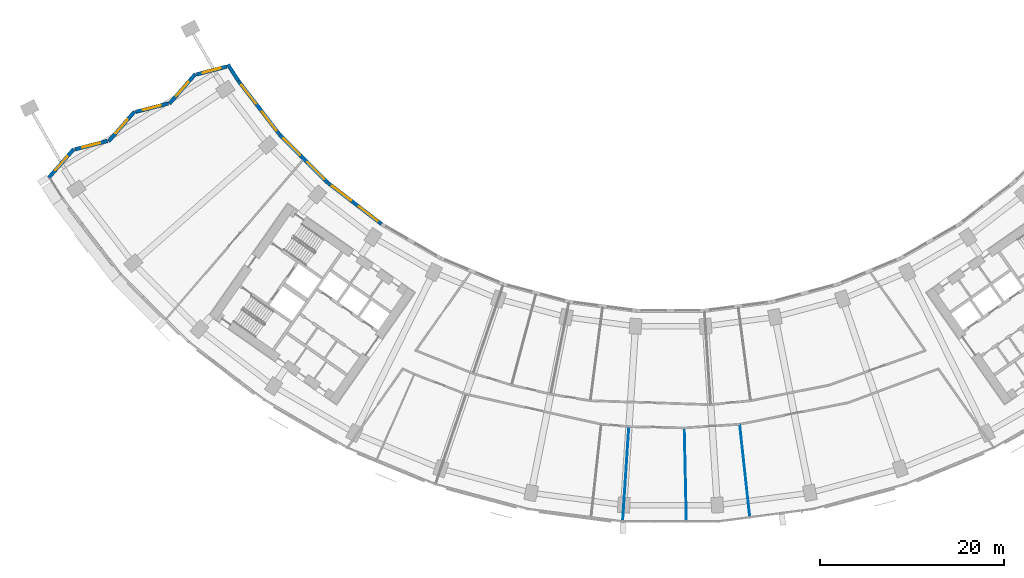
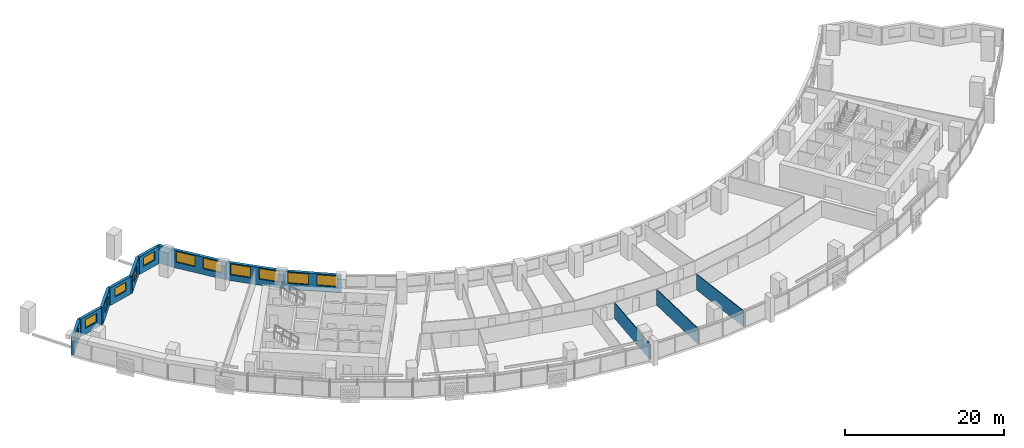
# One storey, part 5 of 30: 13 walls, 12 windows, 12 openings.
"""IFC4 building model written with IfcOpenShell, lengths in metres."""

from ifc_helpers import new_model, si_unit, direction, frame, frame_2d, origin, place, context, subcontext, project, spatial, rectangle, extrude, material, layer, layer_set, type_object, element, fill, save


model = new_model("IFC4")

# Units and contexts
model_context = context("Model", 3, precision=1e-05, world=origin(), true_north=direction((0.0, 1.0)))
body_context = subcontext(model_context, "Body", "Model", "MODEL_VIEW")
ifc_project = project(units=[si_unit("LENGTHUNIT", "METRE"), si_unit("AREAUNIT", "SQUARE_METRE"), si_unit("VOLUMEUNIT", "CUBIC_METRE"), si_unit("PLANEANGLEUNIT", "RADIAN"), si_unit("MASSUNIT", "GRAM", prefix="KILO")], contexts=[model_context])

# Site, building, storey
site_placement = place(None, origin())
site = spatial("IfcSite", under=ifc_project, at=site_placement, CompositionType="ELEMENT")
building_placement = place(site_placement, origin())
building = spatial("IfcBuilding", under=site, at=building_placement, Name="Qamariyya Broadcast Tower", CompositionType="ELEMENT")
storey_placement = place(building_placement, frame((0.0, 0.0, 67.10009765625)))
storey = spatial("IfcBuildingStorey", under=building, at=storey_placement, Name="L13", CompositionType="ELEMENT", Elevation=67.10009765625)

# Walls
ifc_material_1 = material(Name="Gypsum board partition")
ifc_layer_1 = layer(ifc_material_1, 0.10009765625)
ifc_layer_set_1 = layer_set([ifc_layer_1], Name="Partition 100")
wall_type_1 = type_object("IfcWallType", Name="Partition 100", PredefinedType="PARTITIONING", material=ifc_layer_set_1)
wall_1_placement = place(storey_placement, frame((-5.1962890625, -79.27978515625, 0.0), z_axis=(0.0, 0.0, 1.0), x_axis=(0.065408959123, 0.99785854111, 0.0)))
element("IfcWall", 1, at=wall_1_placement, inside=storey, type_object=wall_type_1, Name="Partition L13-020", PredefinedType="PARTITIONING", context=body_context, shape_type="SweptSolid", body=[
    extrude(rectangle(XDim=10.1748046875, YDim=0.10009765625, at=frame_2d((5.08740234375, 0.0))), origin(), (0.0, 0.0, 1.0), 2.39990234375),
])
for number, where, z_axis, x_axis, name in (
    (2, (1.732177734375, -79.279541015625, 0.0), (0.0, 0.0, 1.0), (-0.021848313685, 0.999761297105, 0.0), "Partition L13-023"),
    (3, (8.630859375, -78.827392578125, 0.0), (0.0, 0.0, 1.0), (-0.108851448718, 0.994058027538, 0.0), "Partition L13-028"),
):
    element("IfcWall", number, at=place(storey_placement, frame(where, z_axis=z_axis, x_axis=x_axis)), inside=storey, type_object=wall_type_1, Name=name, PredefinedType="PARTITIONING", context=body_context, shape_type="SweptSolid", body=[
        extrude(rectangle(XDim=10.0234375, YDim=0.10009765625, at=frame_2d((5.01171875, 0.0))), origin(), (0.0, 0.0, 1.0), 2.39990234375),
    ])

# Wall, opening, window
ifc_material_2 = material(Name="Terracotta", Category="masonry")
ifc_layer_2 = layer(ifc_material_2, 0.39990234375)
ifc_layer_set_2 = layer_set([ifc_layer_2], Name="Terracotta clad wall 400")
wall_type_2 = type_object("IfcWallType", Name="Terracotta clad wall 400", PredefinedType="SOLIDWALL", material=ifc_layer_set_2)
wall_2_placement = place(storey_placement, frame((-48.292724609375, -29.873291015625, 0.0), z_axis=(0.0, 0.0, 1.0), x_axis=(-0.968400164119, -0.249401527931, 0.0)))
wall_2 = element("IfcWall", 4, at=wall_2_placement, inside=storey, type_object=wall_type_2, Name="e-wl-L13-capW0", PredefinedType="SOLIDWALL", context=body_context, shape_type="SweptSolid", body=[
    extrude(rectangle(XDim=3.393798828125, YDim=0.39990234375, at=frame_2d((1.69677734375, 0.0))), origin(), (0.0, 0.0, 1.0), 2.699951171875),
])
opening_1_placement = place(wall_2_placement, frame((0.697021484375, 0.0, 0.89990234375)))
opening_1 = element("IfcOpeningElement", 5, at=opening_1_placement, cuts=wall_2, Name="Opening W4", PredefinedType="OPENING", context=body_context, shape_type="SweptSolid", body=[
    extrude(rectangle(XDim=2.0, YDim=1.35009765625, at=frame_2d((1.0, 0.675048828125))), frame((0.0, 0.2099609375, 0.0), z_axis=(0.0, -1.0, 0.0), x_axis=(1.0, 0.0, 0.0)), (0.0, 0.0, 1.0), 0.419921875),
])
ifc_material_3 = material(Name="Clear low-e double glazed unit in aluminium frame", Category="aluminium")
window_type_1 = type_object("IfcWindowType", Name="Horn bay window 2000 x 1350", PartitioningType="SINGLE_PANEL", PredefinedType="WINDOW", material=ifc_material_3)
window_1_placement = place(opening_1_placement, origin())
window_1 = element("IfcWindow", 6, at=window_1_placement, inside=storey, type_object=window_type_1, Name="e-w-L13-capW0", OverallHeight=1.35009765625, OverallWidth=2.0, PartitioningType="SINGLE_PANEL", PredefinedType="WINDOW", context=body_context, shape_type="SweptSolid", body=[
    extrude(rectangle(XDim=2.0, YDim=1.35009765625, at=frame_2d((1.0, 0.675048828125))), frame((0.0, 0.030029296875, 0.0), z_axis=(0.0, -1.0, 0.0), x_axis=(1.0, 0.0, 0.0)), (0.0, 0.0, 1.0), 0.06005859375),
])
fill(opening_1, window_1)

wall_3_placement = place(storey_placement, frame((-51.703857421875, -30.687744140625, 0.0), z_axis=(0.0, 0.0, 1.0), x_axis=(-0.658878694496, -0.752249204678, 0.0)))
wall_3 = element("IfcWall", 7, at=wall_3_placement, inside=storey, type_object=wall_type_2, Name="e-wl-L13-capW1", PredefinedType="SOLIDWALL", context=body_context, shape_type="SweptSolid", body=[
    extrude(rectangle(XDim=4.296142578125, YDim=0.39990234375, at=frame_2d((2.14794921875, 0.0))), origin(), (0.0, 0.0, 1.0), 2.699951171875),
])
opening_2_placement = place(wall_3_placement, frame((1.14794921875, 0.0, 0.89990234375)))
opening_2 = element("IfcOpeningElement", 8, at=opening_2_placement, cuts=wall_3, Name="Opening W4", PredefinedType="OPENING", context=body_context, shape_type="SweptSolid", body=[
    extrude(rectangle(XDim=2.0, YDim=1.35009765625, at=frame_2d((1.0, 0.675048828125))), frame((0.0, 0.2099609375, 0.0), z_axis=(0.0, -1.0, 0.0), x_axis=(1.0, 0.0, 0.0)), (0.0, 0.0, 1.0), 0.419921875),
])
window_2_placement = place(opening_2_placement, origin())
window_2 = element("IfcWindow", 9, at=window_2_placement, inside=storey, type_object=window_type_1, Name="e-w-L13-capW1", OverallHeight=1.35009765625, OverallWidth=2.0, PartitioningType="SINGLE_PANEL", PredefinedType="WINDOW", context=body_context, shape_type="SweptSolid", body=[
    extrude(rectangle(XDim=2.0, YDim=1.35009765625, at=frame_2d((1.0, 0.675048828125))), frame((0.0, 0.030029296875, 0.0), z_axis=(0.0, -1.0, 0.0), x_axis=(1.0, 0.0, 0.0)), (0.0, 0.0, 1.0), 0.06005859375),
])
fill(opening_2, window_2)

wall_4_placement = place(storey_placement, frame((-54.65869140625, -33.887451171875, 0.0), z_axis=(0.0, 0.0, 1.0), x_axis=(-0.968369199595, -0.249521729064, 0.0)))
wall_4 = element("IfcWall", 10, at=wall_4_placement, inside=storey, type_object=wall_type_2, Name="e-wl-L13-capW2", PredefinedType="SOLIDWALL", context=body_context, shape_type="SweptSolid", body=[
    extrude(rectangle(XDim=3.647705078125, YDim=0.39990234375, at=frame_2d((1.82373046875, 0.0))), origin(), (0.0, 0.0, 1.0), 2.699951171875),
])
opening_3_placement = place(wall_4_placement, frame((0.82373046875, 0.0, 0.89990234375)))
opening_3 = element("IfcOpeningElement", 11, at=opening_3_placement, cuts=wall_4, Name="Opening W4", PredefinedType="OPENING", context=body_context, shape_type="SweptSolid", body=[
    extrude(rectangle(XDim=2.0, YDim=1.35009765625, at=frame_2d((1.0, 0.675048828125))), frame((0.0, 0.2099609375, 0.0), z_axis=(0.0, -1.0, 0.0), x_axis=(1.0, 0.0, 0.0)), (0.0, 0.0, 1.0), 0.419921875),
])
window_3_placement = place(opening_3_placement, origin())
window_3 = element("IfcWindow", 12, at=window_3_placement, inside=storey, type_object=window_type_1, Name="e-w-L13-capW2", OverallHeight=1.35009765625, OverallWidth=2.0, PartitioningType="SINGLE_PANEL", PredefinedType="WINDOW", context=body_context, shape_type="SweptSolid", body=[
    extrude(rectangle(XDim=2.0, YDim=1.35009765625, at=frame_2d((1.0, 0.675048828125))), frame((0.0, 0.030029296875, 0.0), z_axis=(0.0, -1.0, 0.0), x_axis=(1.0, 0.0, 0.0)), (0.0, 0.0, 1.0), 0.06005859375),
])
fill(opening_3, window_3)

wall_5_placement = place(storey_placement, frame((-58.3154296875, -34.765625, 0.0), z_axis=(0.0, 0.0, 1.0), x_axis=(-0.658802375344, -0.75231604412, 0.0)))
wall_5 = element("IfcWall", 13, at=wall_5_placement, inside=storey, type_object=wall_type_2, Name="e-wl-L13-capW3", PredefinedType="SOLIDWALL", context=body_context, shape_type="SweptSolid", body=[
    extrude(rectangle(XDim=4.294677734375, YDim=0.39990234375, at=frame_2d((2.1474609375, 0.0))), origin(), (0.0, 0.0, 1.0), 2.699951171875),
])
opening_4_placement = place(wall_5_placement, frame((1.147216796875, 0.0, 0.89990234375)))
opening_4 = element("IfcOpeningElement", 14, at=opening_4_placement, cuts=wall_5, Name="Opening W4", PredefinedType="OPENING", context=body_context, shape_type="SweptSolid", body=[
    extrude(rectangle(XDim=2.0, YDim=1.35009765625, at=frame_2d((1.0, 0.675048828125))), frame((0.0, 0.2099609375, 0.0), z_axis=(0.0, -1.0, 0.0), x_axis=(1.0, 0.0, 0.0)), (0.0, 0.0, 1.0), 0.419921875),
])
window_4_placement = place(opening_4_placement, origin())
window_4 = element("IfcWindow", 15, at=window_4_placement, inside=storey, type_object=window_type_1, Name="e-w-L13-capW3", OverallHeight=1.35009765625, OverallWidth=2.0, PartitioningType="SINGLE_PANEL", PredefinedType="WINDOW", context=body_context, shape_type="SweptSolid", body=[
    extrude(rectangle(XDim=2.0, YDim=1.35009765625, at=frame_2d((1.0, 0.675048828125))), frame((0.0, 0.030029296875, 0.0), z_axis=(0.0, -1.0, 0.0), x_axis=(1.0, 0.0, 0.0)), (0.0, 0.0, 1.0), 0.06005859375),
])
fill(opening_4, window_4)

wall_6_placement = place(storey_placement, frame((-61.26904296875, -37.964599609375, 0.0), z_axis=(0.0, 0.0, 1.0), x_axis=(-0.968357693566, -0.249566378567, 0.0)))
wall_6 = element("IfcWall", 16, at=wall_6_placement, inside=storey, type_object=wall_type_2, Name="e-wl-L13-capW4", PredefinedType="SOLIDWALL", context=body_context, shape_type="SweptSolid", body=[
    extrude(rectangle(XDim=3.64892578125, YDim=0.39990234375, at=frame_2d((1.824462890625, 0.0))), origin(), (0.0, 0.0, 1.0), 2.699951171875),
])
opening_5_placement = place(wall_6_placement, frame((0.824462890625, 0.0, 0.89990234375)))
opening_5 = element("IfcOpeningElement", 17, at=opening_5_placement, cuts=wall_6, Name="Opening W4", PredefinedType="OPENING", context=body_context, shape_type="SweptSolid", body=[
    extrude(rectangle(XDim=2.0, YDim=1.35009765625, at=frame_2d((1.0, 0.675048828125))), frame((0.0, 0.2099609375, 0.0), z_axis=(0.0, -1.0, 0.0), x_axis=(1.0, 0.0, 0.0)), (0.0, 0.0, 1.0), 0.419921875),
])
window_5_placement = place(opening_5_placement, origin())
window_5 = element("IfcWindow", 18, at=window_5_placement, inside=storey, type_object=window_type_1, Name="e-w-L13-capW4", OverallHeight=1.35009765625, OverallWidth=2.0, PartitioningType="SINGLE_PANEL", PredefinedType="WINDOW", context=body_context, shape_type="SweptSolid", body=[
    extrude(rectangle(XDim=2.0, YDim=1.35009765625, at=frame_2d((1.0, 0.675048828125))), frame((0.0, 0.030029296875, 0.0), z_axis=(0.0, -1.0, 0.0), x_axis=(1.0, 0.0, 0.0)), (0.0, 0.0, 1.0), 0.06005859375),
])
fill(opening_5, window_5)

wall_7_placement = place(storey_placement, frame((-64.9267578125, -38.84326171875, 0.0), z_axis=(0.0, 0.0, 1.0), x_axis=(-0.658735199734, -0.752374864433, 0.0)))
wall_7 = element("IfcWall", 19, at=wall_7_placement, inside=storey, type_object=wall_type_2, Name="e-wl-L13-capW5", PredefinedType="SOLIDWALL", context=body_context, shape_type="SweptSolid", body=[
    extrude(rectangle(XDim=4.1220703125, YDim=0.39990234375, at=frame_2d((2.06103515625, 0.0))), origin(), (0.0, 0.0, 1.0), 2.699951171875),
])
opening_6_placement = place(wall_7_placement, frame((1.060791015625, 0.0, 0.89990234375)))
opening_6 = element("IfcOpeningElement", 20, at=opening_6_placement, cuts=wall_7, Name="Opening W4", PredefinedType="OPENING", context=body_context, shape_type="SweptSolid", body=[
    extrude(rectangle(XDim=2.0, YDim=1.35009765625, at=frame_2d((1.0, 0.675048828125))), frame((0.0, 0.2099609375, 0.0), z_axis=(0.0, -1.0, 0.0), x_axis=(1.0, 0.0, 0.0)), (0.0, 0.0, 1.0), 0.419921875),
])
window_6_placement = place(opening_6_placement, origin())
window_6 = element("IfcWindow", 21, at=window_6_placement, inside=storey, type_object=window_type_1, Name="e-w-L13-capW5", OverallHeight=1.35009765625, OverallWidth=2.0, PartitioningType="SINGLE_PANEL", PredefinedType="WINDOW", context=body_context, shape_type="SweptSolid", body=[
    extrude(rectangle(XDim=2.0, YDim=1.35009765625, at=frame_2d((1.0, 0.675048828125))), frame((0.0, 0.030029296875, 0.0), z_axis=(0.0, -1.0, 0.0), x_axis=(1.0, 0.0, 0.0)), (0.0, 0.0, 1.0), 0.06005859375),
])
fill(opening_6, window_6)

# Wall
wall_8_placement = place(storey_placement, frame((-47.009033203125, -31.43408203125, 0.0), z_axis=(0.0, 0.0, 1.0), x_axis=(-0.540367376196, 0.841429200077, 0.0)))
element("IfcWall", 22, at=wall_8_placement, inside=storey, type_object=wall_type_2, Name="e-wl-L13-in00", PredefinedType="SOLIDWALL", context=body_context, shape_type="SweptSolid", body=[
    extrude(rectangle(XDim=2.118896484375, YDim=0.39990234375, at=frame_2d((1.0595703125, 0.0))), origin(), (0.0, 0.0, 1.0), 2.699951171875),
])

# Wall, openings, windows
wall_9_placement = place(storey_placement, frame((-42.5478515625, -37.24609375, 0.0), z_axis=(0.0, 0.0, 1.0), x_axis=(-0.608743506398, 0.793367092472, 0.0)))
wall_9 = element("IfcWall", 23, at=wall_9_placement, inside=storey, type_object=wall_type_2, Name="e-wl-L13-in10", PredefinedType="SOLIDWALL", context=body_context, shape_type="SweptSolid", body=[
    extrude(rectangle(XDim=7.31005859375, YDim=0.39990234375, at=frame_2d((3.655029296875, 0.0))), origin(), (0.0, 0.0, 1.0), 2.699951171875),
])
opening_7_placement = place(wall_9_placement, frame((4.190673828125, 0.0, 0.89990234375)))
opening_7 = element("IfcOpeningElement", 24, at=opening_7_placement, cuts=wall_9, Name="Opening W1", PredefinedType="OPENING", context=body_context, shape_type="SweptSolid", body=[
    extrude(rectangle(XDim=2.60009765625, YDim=1.64990234375, at=frame_2d((1.300048828125, 0.824951171875))), frame((0.0, 0.2099609375, 0.0), z_axis=(0.0, -1.0, 0.0), x_axis=(1.0, 0.0, 0.0)), (0.0, 0.0, 1.0), 0.419921875),
])
opening_8_placement = place(wall_9_placement, frame((0.505126953125, 0.0, 0.89990234375)))
opening_8 = element("IfcOpeningElement", 25, at=opening_8_placement, cuts=wall_9, Name="Opening W1", PredefinedType="OPENING", context=body_context, shape_type="SweptSolid", body=[
    extrude(rectangle(XDim=2.60009765625, YDim=1.64990234375, at=frame_2d((1.300048828125, 0.824951171875))), frame((0.0, 0.2099609375, 0.0), z_axis=(0.0, -1.0, 0.0), x_axis=(1.0, 0.0, 0.0)), (0.0, 0.0, 1.0), 0.419921875),
])
window_type_2 = type_object("IfcWindowType", Name="Ribbon window 2600 x 1650", PartitioningType="SINGLE_PANEL", PredefinedType="WINDOW", material=ifc_material_3)
window_7_placement = place(opening_7_placement, origin())
window_7 = element("IfcWindow", 26, at=window_7_placement, inside=storey, type_object=window_type_2, Name="e-w-L13-in01-0", OverallHeight=1.64990234375, OverallWidth=2.60009765625, PartitioningType="SINGLE_PANEL", PredefinedType="WINDOW", context=body_context, shape_type="SweptSolid", body=[
    extrude(rectangle(XDim=2.60009765625, YDim=1.64990234375, at=frame_2d((1.300048828125, 0.824951171875))), frame((0.0, 0.030029296875, 0.0), z_axis=(0.0, -1.0, 0.0), x_axis=(1.0, 0.0, 0.0)), (0.0, 0.0, 1.0), 0.06005859375),
])
fill(opening_7, window_7)
window_8_placement = place(opening_8_placement, origin())
window_8 = element("IfcWindow", 27, at=window_8_placement, inside=storey, type_object=window_type_2, Name="e-w-L13-in01-1", OverallHeight=1.64990234375, OverallWidth=2.60009765625, PartitioningType="SINGLE_PANEL", PredefinedType="WINDOW", context=body_context, shape_type="SweptSolid", body=[
    extrude(rectangle(XDim=2.60009765625, YDim=1.64990234375, at=frame_2d((1.300048828125, 0.824951171875))), frame((0.0, 0.030029296875, 0.0), z_axis=(0.0, -1.0, 0.0), x_axis=(1.0, 0.0, 0.0)), (0.0, 0.0, 1.0), 0.06005859375),
])
fill(opening_8, window_8)

wall_10_placement = place(storey_placement, frame((-37.2685546875, -42.534423828125, 0.0), z_axis=(0.0, 0.0, 1.0), x_axis=(-0.707106781187, 0.707106781187, 0.0)))
wall_10 = element("IfcWall", 28, at=wall_10_placement, inside=storey, type_object=wall_type_2, Name="e-wl-L13-in20", PredefinedType="SOLIDWALL", context=body_context, shape_type="SweptSolid", body=[
    extrude(rectangle(XDim=7.447021484375, YDim=0.39990234375, at=frame_2d((3.7236328125, 0.0))), origin(), (0.0, 0.0, 1.0), 2.699951171875),
])
opening_9_placement = place(wall_10_placement, frame((4.266357421875, 0.0, 0.89990234375)))
opening_9 = element("IfcOpeningElement", 29, at=opening_9_placement, cuts=wall_10, Name="Opening W1", PredefinedType="OPENING", context=body_context, shape_type="SweptSolid", body=[
    extrude(rectangle(XDim=2.60009765625, YDim=1.64990234375, at=frame_2d((1.300048828125, 0.824951171875))), frame((0.0, 0.2099609375, 0.0), z_axis=(0.0, -1.0, 0.0), x_axis=(1.0, 0.0, 0.0)), (0.0, 0.0, 1.0), 0.419921875),
])
opening_10_placement = place(wall_10_placement, frame((0.580810546875, 0.0, 0.89990234375)))
opening_10 = element("IfcOpeningElement", 30, at=opening_10_placement, cuts=wall_10, Name="Opening W1", PredefinedType="OPENING", context=body_context, shape_type="SweptSolid", body=[
    extrude(rectangle(XDim=2.60009765625, YDim=1.64990234375, at=frame_2d((1.300048828125, 0.824951171875))), frame((0.0, 0.2099609375, 0.0), z_axis=(0.0, -1.0, 0.0), x_axis=(1.0, 0.0, 0.0)), (0.0, 0.0, 1.0), 0.419921875),
])
window_9_placement = place(opening_9_placement, origin())
window_9 = element("IfcWindow", 31, at=window_9_placement, inside=storey, type_object=window_type_2, Name="e-w-L13-in02-0", OverallHeight=1.64990234375, OverallWidth=2.60009765625, PartitioningType="SINGLE_PANEL", PredefinedType="WINDOW", context=body_context, shape_type="SweptSolid", body=[
    extrude(rectangle(XDim=2.60009765625, YDim=1.64990234375, at=frame_2d((1.300048828125, 0.824951171875))), frame((0.0, 0.030029296875, 0.0), z_axis=(0.0, -1.0, 0.0), x_axis=(1.0, 0.0, 0.0)), (0.0, 0.0, 1.0), 0.06005859375),
])
fill(opening_9, window_9)
window_10_placement = place(opening_10_placement, origin())
window_10 = element("IfcWindow", 32, at=window_10_placement, inside=storey, type_object=window_type_2, Name="e-w-L13-in02-1", OverallHeight=1.64990234375, OverallWidth=2.60009765625, PartitioningType="SINGLE_PANEL", PredefinedType="WINDOW", context=body_context, shape_type="SweptSolid", body=[
    extrude(rectangle(XDim=2.60009765625, YDim=1.64990234375, at=frame_2d((1.300048828125, 0.824951171875))), frame((0.0, 0.030029296875, 0.0), z_axis=(0.0, -1.0, 0.0), x_axis=(1.0, 0.0, 0.0)), (0.0, 0.0, 1.0), 0.06005859375),
])
fill(opening_10, window_10)

wall_11_placement = place(storey_placement, frame((-31.4580078125, -46.989013671875, 0.0), z_axis=(0.0, 0.0, 1.0), x_axis=(-0.79336607943, 0.60874482668, 0.0)))
wall_11 = element("IfcWall", 33, at=wall_11_placement, inside=storey, type_object=wall_type_2, Name="e-wl-L13-in30", PredefinedType="SOLIDWALL", context=body_context, shape_type="SweptSolid", body=[
    extrude(rectangle(XDim=7.295654296875, YDim=0.39990234375, at=frame_2d((3.64794921875, 0.0))), origin(), (0.0, 0.0, 1.0), 2.699951171875),
])
opening_11_placement = place(wall_11_placement, frame((4.190673828125, 0.0, 0.89990234375)))
opening_11 = element("IfcOpeningElement", 34, at=opening_11_placement, cuts=wall_11, Name="Opening W1", PredefinedType="OPENING", context=body_context, shape_type="SweptSolid", body=[
    extrude(rectangle(XDim=2.60009765625, YDim=1.64990234375, at=frame_2d((1.300048828125, 0.824951171875))), frame((0.0, 0.2099609375, 0.0), z_axis=(0.0, -1.0, 0.0), x_axis=(1.0, 0.0, 0.0)), (0.0, 0.0, 1.0), 0.419921875),
])
opening_12_placement = place(wall_11_placement, frame((0.505126953125, 0.0, 0.89990234375)))
opening_12 = element("IfcOpeningElement", 35, at=opening_12_placement, cuts=wall_11, Name="Opening W1", PredefinedType="OPENING", context=body_context, shape_type="SweptSolid", body=[
    extrude(rectangle(XDim=2.60009765625, YDim=1.64990234375, at=frame_2d((1.300048828125, 0.824951171875))), frame((0.0, 0.2099609375, 0.0), z_axis=(0.0, -1.0, 0.0), x_axis=(1.0, 0.0, 0.0)), (0.0, 0.0, 1.0), 0.419921875),
])
window_11_placement = place(opening_11_placement, origin())
window_11 = element("IfcWindow", 36, at=window_11_placement, inside=storey, type_object=window_type_2, Name="e-w-L13-in03-0", OverallHeight=1.64990234375, OverallWidth=2.60009765625, PartitioningType="SINGLE_PANEL", PredefinedType="WINDOW", context=body_context, shape_type="SweptSolid", body=[
    extrude(rectangle(XDim=2.60009765625, YDim=1.64990234375, at=frame_2d((1.300048828125, 0.824951171875))), frame((0.0, 0.030029296875, 0.0), z_axis=(0.0, -1.0, 0.0), x_axis=(1.0, 0.0, 0.0)), (0.0, 0.0, 1.0), 0.06005859375),
])
fill(opening_11, window_11)
window_12_placement = place(opening_12_placement, origin())
window_12 = element("IfcWindow", 37, at=window_12_placement, inside=storey, type_object=window_type_2, Name="e-w-L13-in03-1", OverallHeight=1.64990234375, OverallWidth=2.60009765625, PartitioningType="SINGLE_PANEL", PredefinedType="WINDOW", context=body_context, shape_type="SweptSolid", body=[
    extrude(rectangle(XDim=2.60009765625, YDim=1.64990234375, at=frame_2d((1.300048828125, 0.824951171875))), frame((0.0, 0.030029296875, 0.0), z_axis=(0.0, -1.0, 0.0), x_axis=(1.0, 0.0, 0.0)), (0.0, 0.0, 1.0), 0.06005859375),
])
fill(opening_12, window_12)

save(model, "model.ifc")
